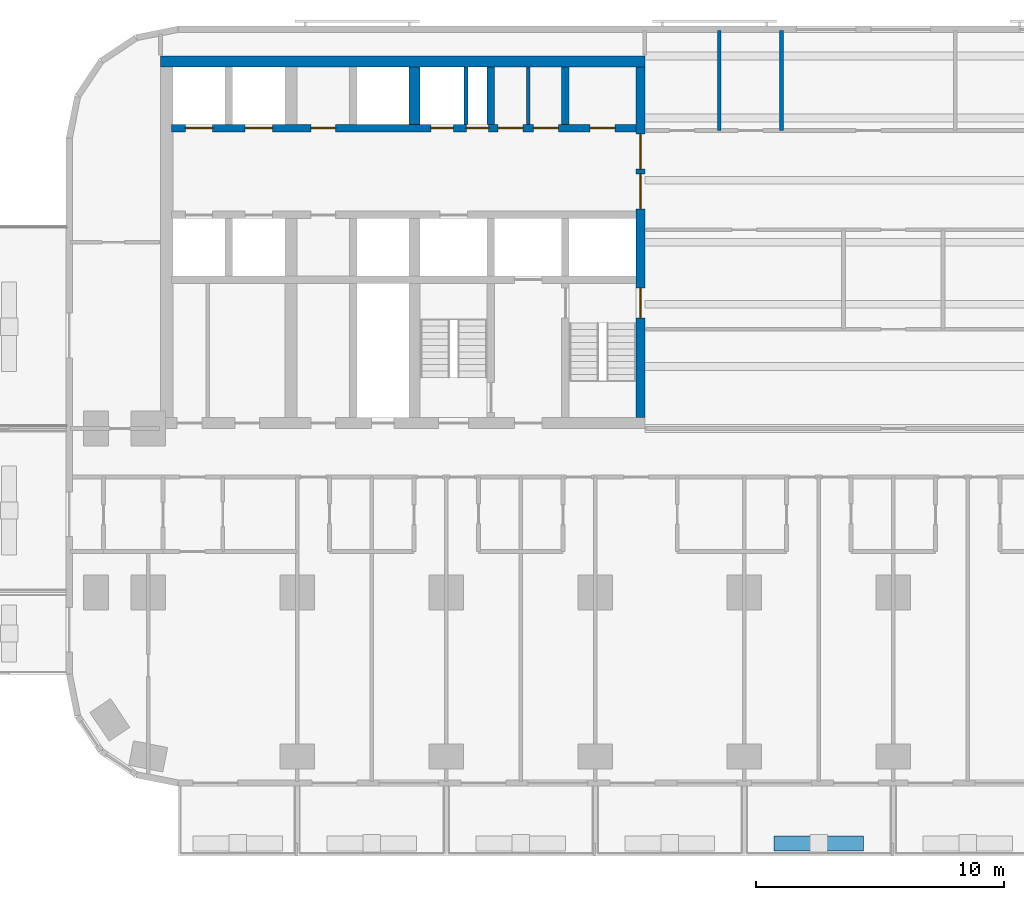
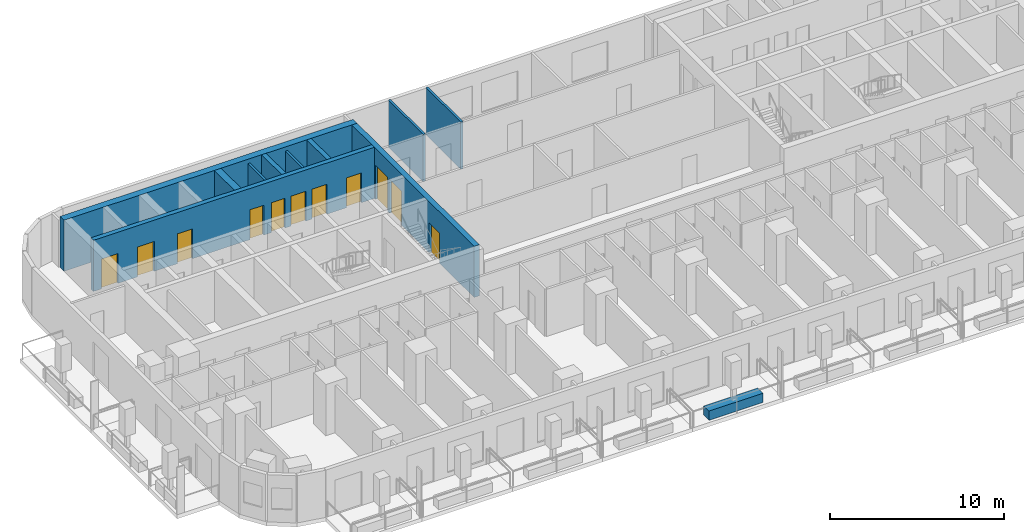
# One storey, part 4 of 15: 11 doors, 11 walls, 11 openings.
"""IFC4 building model written with IfcOpenShell, lengths in metres."""

from ifc_helpers import new_model, si_unit, direction, frame, frame_2d, origin, place, context, subcontext, project, spatial, rectangle, extrude, material, layer, layer_set, type_object, element, fill, save


model = new_model("IFC4")

# Units and contexts
model_context = context("Model", 3, precision=1e-05, world=origin(), true_north=direction((0.0, 1.0)))
body_context = subcontext(model_context, "Body", "Model", "MODEL_VIEW")
ifc_project = project(units=[si_unit("LENGTHUNIT", "METRE"), si_unit("AREAUNIT", "SQUARE_METRE"), si_unit("VOLUMEUNIT", "CUBIC_METRE"), si_unit("PLANEANGLEUNIT", "RADIAN"), si_unit("MASSUNIT", "GRAM", prefix="KILO")], contexts=[model_context])

# Site, building, storey
site_placement = place(None, origin())
site = spatial("IfcSite", under=ifc_project, at=site_placement, CompositionType="ELEMENT")
building_placement = place(site_placement, origin())
building = spatial("IfcBuilding", under=site, at=building_placement, Name="Torana Hotel and Residences", CompositionType="ELEMENT")
storey_placement = place(building_placement, frame((0.0, 0.0, 31.199951171875)))
storey = spatial("IfcBuildingStorey", under=building, at=storey_placement, Name="L06", CompositionType="ELEMENT", Elevation=31.199951171875)

# Wall, openings, doors
ifc_material_1 = material(Name="Concrete C80/95", Category="concrete")
ifc_layer_1 = layer(ifc_material_1, 0.300048828125)
ifc_layer_set_1 = layer_set([ifc_layer_1], Name="CORE WALL 300 C80/95")
wall_type_1 = type_object("IfcWallType", Name="CORE WALL 300 C80/95", PredefinedType="SHEAR", material=ifc_layer_set_1)
wall_1_placement = place(storey_placement, frame((-29.050048828125, -2.89990234375, 0.0), z_axis=(0.0, 0.0, 1.0), x_axis=(1.0, 0.0, 0.0)))
wall_1 = element("IfcWall", 1, at=wall_1_placement, inside=storey, type_object=wall_type_1, Name="Core wall W row-N", PredefinedType="SHEAR", context=body_context, shape_type="SweptSolid", body=[
    extrude(rectangle(XDim=18.699951171875, YDim=0.300048828125, at=frame_2d((9.35009765625, 0.0))), origin(), (0.0, 0.0, 1.0), 3.60009765625),
])
opening_1_placement = place(wall_1_placement, frame((2.949951171875, 0.0, 0.0)))
opening_1 = element("IfcOpeningElement", 2, at=opening_1_placement, cuts=wall_1, Name="Opening LD", PredefinedType="OPENING", context=body_context, shape_type="SweptSolid", body=[
    extrude(rectangle(XDim=1.10009765625, YDim=2.10009765625, at=frame_2d((0.550048828125, 1.050048828125))), frame((0.0, 0.159912109375, 0.0), z_axis=(0.0, -1.0, 0.0), x_axis=(1.0, 0.0, 0.0)), (0.0, 0.0, 1.0), 0.320068359375),
])
opening_2_placement = place(wall_1_placement, frame((0.550048828125, 0.0, 0.0)))
opening_2 = element("IfcOpeningElement", 3, at=opening_2_placement, cuts=wall_1, Name="Opening LD", PredefinedType="OPENING", context=body_context, shape_type="SweptSolid", body=[
    extrude(rectangle(XDim=1.10009765625, YDim=2.10009765625, at=frame_2d((0.550048828125, 1.050048828125))), frame((0.0, 0.159912109375, 0.0), z_axis=(0.0, -1.0, 0.0), x_axis=(1.0, 0.0, 0.0)), (0.0, 0.0, 1.0), 0.320068359375),
])
opening_3_placement = place(wall_1_placement, frame((11.862548828125, 0.0, 0.0)))
opening_3 = element("IfcOpeningElement", 4, at=opening_3_placement, cuts=wall_1, Name="Opening L06-10", PredefinedType="OPENING", context=body_context, shape_type="SweptSolid", body=[
    extrude(rectangle(XDim=0.89990234375, YDim=2.10009765625, at=frame_2d((0.449951171875, 1.050048828125))), frame((0.0, 0.159912109375, 0.0), z_axis=(0.0, -1.0, 0.0), x_axis=(1.0, 0.0, 0.0)), (0.0, 0.0, 1.0), 0.320068359375),
])
opening_4_placement = place(wall_1_placement, frame((10.4375, 0.0, 0.0)))
opening_4 = element("IfcOpeningElement", 5, at=opening_4_placement, cuts=wall_1, Name="Opening L06-11", PredefinedType="OPENING", context=body_context, shape_type="SweptSolid", body=[
    extrude(rectangle(XDim=0.89990234375, YDim=2.10009765625, at=frame_2d((0.449951171875, 1.050048828125))), frame((0.0, 0.159912109375, 0.0), z_axis=(0.0, -1.0, 0.0), x_axis=(1.0, 0.0, 0.0)), (0.0, 0.0, 1.0), 0.320068359375),
])
opening_5_placement = place(wall_1_placement, frame((16.85009765625, 0.0, 0.0)))
opening_5 = element("IfcOpeningElement", 6, at=opening_5_placement, cuts=wall_1, Name="Opening L06-12", PredefinedType="OPENING", context=body_context, shape_type="SweptSolid", body=[
    extrude(rectangle(XDim=1.0, YDim=2.10009765625, at=frame_2d((0.5, 1.050048828125))), frame((0.0, 0.159912109375, 0.0), z_axis=(0.0, -1.0, 0.0), x_axis=(1.0, 0.0, 0.0)), (0.0, 0.0, 1.0), 0.320068359375),
])
opening_6_placement = place(wall_1_placement, frame((14.5625, 0.0, 0.0)))
opening_6 = element("IfcOpeningElement", 7, at=opening_6_placement, cuts=wall_1, Name="Opening L06-13", PredefinedType="OPENING", context=body_context, shape_type="SweptSolid", body=[
    extrude(rectangle(XDim=1.0, YDim=2.10009765625, at=frame_2d((0.5, 1.050048828125))), frame((0.0, 0.159912109375, 0.0), z_axis=(0.0, -1.0, 0.0), x_axis=(1.0, 0.0, 0.0)), (0.0, 0.0, 1.0), 0.320068359375),
])
opening_7_placement = place(wall_1_placement, frame((13.137451171875, 0.0, 0.0)))
opening_7 = element("IfcOpeningElement", 8, at=opening_7_placement, cuts=wall_1, Name="Opening L06-14", PredefinedType="OPENING", context=body_context, shape_type="SweptSolid", body=[
    extrude(rectangle(XDim=1.0, YDim=2.10009765625, at=frame_2d((0.5, 1.050048828125))), frame((0.0, 0.159912109375, 0.0), z_axis=(0.0, -1.0, 0.0), x_axis=(1.0, 0.0, 0.0)), (0.0, 0.0, 1.0), 0.320068359375),
])
opening_8_placement = place(wall_1_placement, frame((5.60009765625, 0.0, 0.0)))
opening_8 = element("IfcOpeningElement", 9, at=opening_8_placement, cuts=wall_1, Name="Opening L06-15", PredefinedType="OPENING", context=body_context, shape_type="SweptSolid", body=[
    extrude(rectangle(XDim=1.0, YDim=2.10009765625, at=frame_2d((0.5, 1.050048828125))), frame((0.0, 0.159912109375, 0.0), z_axis=(0.0, -1.0, 0.0), x_axis=(1.0, 0.0, 0.0)), (0.0, 0.0, 1.0), 0.320068359375),
])
ifc_material_2 = material(Name="Steel S235", Category="steel")
door_type_1 = type_object("IfcDoorType", Name="CORE ROOM FIRE DOOR D14 1000x2100", OperationType="SINGLE_SWING_LEFT", PredefinedType="DOOR", material=ifc_material_2)
door_1_placement = place(opening_5_placement, origin())
door_1 = element("IfcDoor", 10, at=door_1_placement, inside=storey, type_object=door_type_1, Name="N0 door L06", OperationType="SINGLE_SWING_RIGHT", OverallHeight=2.10009765625, OverallWidth=1.0, PredefinedType="DOOR", context=body_context, shape_type="SweptSolid", body=[
    extrude(rectangle(XDim=1.0, YDim=2.10009765625, at=frame_2d((0.5, 1.050048828125))), frame((0.0, 0.02490234375, 0.0), z_axis=(0.0, -1.0, 0.0), x_axis=(1.0, 0.0, 0.0)), (0.0, 0.0, 1.0), 0.050048828125),
])
fill(opening_5, door_1)
door_2_placement = place(opening_6_placement, origin())
door_2 = element("IfcDoor", 11, at=door_2_placement, inside=storey, type_object=door_type_1, Name="N1A door L06", OperationType="SINGLE_SWING_RIGHT", OverallHeight=2.10009765625, OverallWidth=1.0, PredefinedType="DOOR", context=body_context, shape_type="SweptSolid", body=[
    extrude(rectangle(XDim=1.0, YDim=2.10009765625, at=frame_2d((0.5, 1.050048828125))), frame((0.0, 0.02490234375, 0.0), z_axis=(0.0, -1.0, 0.0), x_axis=(1.0, 0.0, 0.0)), (0.0, 0.0, 1.0), 0.050048828125),
])
fill(opening_6, door_2)
door_3_placement = place(opening_7_placement, origin())
door_3 = element("IfcDoor", 12, at=door_3_placement, inside=storey, type_object=door_type_1, Name="N1B door L06", OperationType="SINGLE_SWING_RIGHT", OverallHeight=2.10009765625, OverallWidth=1.0, PredefinedType="DOOR", context=body_context, shape_type="SweptSolid", body=[
    extrude(rectangle(XDim=1.0, YDim=2.10009765625, at=frame_2d((0.5, 1.050048828125))), frame((0.0, 0.02490234375, 0.0), z_axis=(0.0, -1.0, 0.0), x_axis=(1.0, 0.0, 0.0)), (0.0, 0.0, 1.0), 0.050048828125),
])
fill(opening_7, door_3)
door_4_placement = place(opening_8_placement, origin())
door_4 = element("IfcDoor", 13, at=door_4_placement, inside=storey, type_object=door_type_1, Name="Free-M1 door L06", OperationType="SINGLE_SWING_RIGHT", OverallHeight=2.10009765625, OverallWidth=1.0, PredefinedType="DOOR", context=body_context, shape_type="SweptSolid", body=[
    extrude(rectangle(XDim=1.0, YDim=2.10009765625, at=frame_2d((0.5, 1.050048828125))), frame((0.0, 0.02490234375, 0.0), z_axis=(0.0, -1.0, 0.0), x_axis=(1.0, 0.0, 0.0)), (0.0, 0.0, 1.0), 0.050048828125),
])
fill(opening_8, door_4)
ifc_material_3 = material(Name="Stainless steel 316", Category="steel")
door_type_2 = type_object("IfcDoorType", Name="LIFT LANDING DOOR LD 1100x2100", OperationType="DOUBLE_DOOR_SLIDING", PredefinedType="USERDEFINED", material=ifc_material_3)
door_5_placement = place(opening_1_placement, origin())
door_5 = element("IfcDoor", 14, at=door_5_placement, inside=storey, type_object=door_type_2, Name="Lift landing door L1 L06", ObjectType="LIFT LANDING DOOR", OperationType="DOUBLE_DOOR_SLIDING", OverallHeight=2.10009765625, OverallWidth=1.10009765625, PredefinedType="USERDEFINED", context=body_context, shape_type="SweptSolid", body=[
    extrude(rectangle(XDim=1.10009765625, YDim=2.10009765625, at=frame_2d((0.550048828125, 1.050048828125))), frame((0.0, 0.02490234375, 0.0), z_axis=(0.0, -1.0, 0.0), x_axis=(1.0, 0.0, 0.0)), (0.0, 0.0, 1.0), 0.050048828125),
])
fill(opening_1, door_5)
door_6_placement = place(opening_2_placement, origin())
door_6 = element("IfcDoor", 15, at=door_6_placement, inside=storey, type_object=door_type_2, Name="Lift landing door L2 L06", ObjectType="LIFT LANDING DOOR", OperationType="DOUBLE_DOOR_SLIDING", OverallHeight=2.10009765625, OverallWidth=1.10009765625, PredefinedType="USERDEFINED", context=body_context, shape_type="SweptSolid", body=[
    extrude(rectangle(XDim=1.10009765625, YDim=2.10009765625, at=frame_2d((0.550048828125, 1.050048828125))), frame((0.0, 0.02490234375, 0.0), z_axis=(0.0, -1.0, 0.0), x_axis=(1.0, 0.0, 0.0)), (0.0, 0.0, 1.0), 0.050048828125),
])
fill(opening_2, door_6)
ifc_material_4 = material(Name="Steel S235", Category="steel")
door_type_3 = type_object("IfcDoorType", Name="RISER ACCESS DOOR D5 900x2100", OperationType="SINGLE_SWING_LEFT", PredefinedType="DOOR", material=ifc_material_4)
door_7_placement = place(opening_3_placement, origin())
door_7 = element("IfcDoor", 16, at=door_7_placement, inside=storey, type_object=door_type_3, Name="N2A door L06", OperationType="SINGLE_SWING_LEFT", OverallHeight=2.10009765625, OverallWidth=0.89990234375, PredefinedType="DOOR", context=body_context, shape_type="SweptSolid", body=[
    extrude(rectangle(XDim=0.89990234375, YDim=2.10009765625, at=frame_2d((0.449951171875, 1.050048828125))), frame((0.0, 0.02490234375, 0.0), z_axis=(0.0, -1.0, 0.0), x_axis=(1.0, 0.0, 0.0)), (0.0, 0.0, 1.0), 0.050048828125),
])
fill(opening_3, door_7)
door_8_placement = place(opening_4_placement, origin())
door_8 = element("IfcDoor", 17, at=door_8_placement, inside=storey, type_object=door_type_3, Name="N2B door L06", OperationType="SINGLE_SWING_RIGHT", OverallHeight=2.10009765625, OverallWidth=0.89990234375, PredefinedType="DOOR", context=body_context, shape_type="SweptSolid", body=[
    extrude(rectangle(XDim=0.89990234375, YDim=2.10009765625, at=frame_2d((0.449951171875, 1.050048828125))), frame((0.0, 0.02490234375, 0.0), z_axis=(0.0, -1.0, 0.0), x_axis=(1.0, 0.0, 0.0)), (0.0, 0.0, 1.0), 0.050048828125),
])
fill(opening_4, door_8)

# Walls
for number, where, z_axis, x_axis, name in (
    (18, (-13.199951171875, -2.75, 0.0), (0.0, 0.0, 1.0), (0.0, 1.0, 0.0), "Core wall W x3.05-N"),
    (19, (-16.199951171875, -2.75, 0.0), (0.0, 0.0, 1.0), (0.0, 1.0, 0.0), "Core wall W x6.05-N"),
):
    element("IfcWall", number, at=place(storey_placement, frame(where, z_axis=z_axis, x_axis=x_axis)), inside=storey, type_object=wall_type_1, Name=name, PredefinedType="SHEAR", context=body_context, shape_type="SweptSolid", body=[
        extrude(rectangle(XDim=2.300048828125, YDim=0.300048828125, at=frame_2d((1.14990234375, 0.0))), origin(), (0.0, 0.0, 1.0), 3.60009765625),
    ])

# Wall, openings, doors
ifc_material_5 = material(Name="Concrete C80/95", Category="concrete")
ifc_layer_2 = layer(ifc_material_5, 0.35009765625)
ifc_layer_set_2 = layer_set([ifc_layer_2], Name="CORE WALL 350 C80/95")
wall_type_2 = type_object("IfcWallType", Name="CORE WALL 350 C80/95", PredefinedType="SHEAR", material=ifc_layer_set_2)
wall_2_placement = place(storey_placement, frame((-10.175048828125, -14.550048828125, 0.0), z_axis=(0.0, 0.0, 1.0), x_axis=(0.0, 1.0, 0.0)))
wall_2 = element("IfcWall", 20, at=wall_2_placement, inside=storey, type_object=wall_type_2, Name="Core wall W arch", PredefinedType="SHEAR", context=body_context, shape_type="SweptSolid", body=[
    extrude(rectangle(XDim=14.10009765625, YDim=0.35009765625, at=frame_2d((7.050048828125, 0.0))), origin(), (0.0, 0.0, 1.0), 3.60009765625),
])
opening_9_placement = place(wall_2_placement, frame((8.39990234375, 0.0, 0.0)))
opening_9 = element("IfcOpeningElement", 21, at=opening_9_placement, cuts=wall_2, Name="Opening L06-01", PredefinedType="OPENING", context=body_context, shape_type="SweptSolid", body=[
    extrude(rectangle(XDim=1.39990234375, YDim=2.39990234375, at=frame_2d((0.699951171875, 1.199951171875))), frame((0.0, 0.18505859375, 0.0), z_axis=(0.0, -1.0, 0.0), x_axis=(1.0, 0.0, 0.0)), (0.0, 0.0, 1.0), 0.3701171875),
])
opening_10_placement = place(wall_2_placement, frame((10.0, 0.0, 0.0)))
opening_10 = element("IfcOpeningElement", 22, at=opening_10_placement, cuts=wall_2, Name="Opening L06-02", PredefinedType="OPENING", context=body_context, shape_type="SweptSolid", body=[
    extrude(rectangle(XDim=1.39990234375, YDim=2.39990234375, at=frame_2d((0.699951171875, 1.199951171875))), frame((0.0, 0.18505859375, 0.0), z_axis=(0.0, -1.0, 0.0), x_axis=(1.0, 0.0, 0.0)), (0.0, 0.0, 1.0), 0.3701171875),
])
opening_11_placement = place(wall_2_placement, frame((4.0, 0.0, 0.0)))
opening_11 = element("IfcOpeningElement", 23, at=opening_11_placement, cuts=wall_2, Name="Opening L06-03", PredefinedType="OPENING", context=body_context, shape_type="SweptSolid", body=[
    extrude(rectangle(XDim=1.199951171875, YDim=2.10009765625, at=frame_2d((0.60009765625, 1.050048828125))), frame((0.0, 0.18505859375, 0.0), z_axis=(0.0, -1.0, 0.0), x_axis=(1.0, 0.0, 0.0)), (0.0, 0.0, 1.0), 0.3701171875),
])
ifc_material_6 = material(Name="Steel S235", Category="steel")
door_type_4 = type_object("IfcDoorType", Name="LOBBY FIRE DOOR D4 1400x2400", OperationType="DOUBLE_DOOR_SINGLE_SWING", PredefinedType="DOOR", material=ifc_material_6)
door_9_placement = place(opening_9_placement, origin())
door_9 = element("IfcDoor", 24, at=door_9_placement, inside=storey, type_object=door_type_4, Name="Lobby-1 door L06", OperationType="DOUBLE_DOOR_SINGLE_SWING", OverallHeight=2.39990234375, OverallWidth=1.39990234375, PredefinedType="DOOR", context=body_context, shape_type="SweptSolid", body=[
    extrude(rectangle(XDim=1.39990234375, YDim=2.39990234375, at=frame_2d((0.699951171875, 1.199951171875))), frame((0.0, 0.02490234375, 0.0), z_axis=(0.0, -1.0, 0.0), x_axis=(1.0, 0.0, 0.0)), (0.0, 0.0, 1.0), 0.050048828125),
])
fill(opening_9, door_9)
door_10_placement = place(opening_10_placement, origin())
door_10 = element("IfcDoor", 25, at=door_10_placement, inside=storey, type_object=door_type_4, Name="Lobby-2 door L06", OperationType="DOUBLE_DOOR_SINGLE_SWING", OverallHeight=2.39990234375, OverallWidth=1.39990234375, PredefinedType="DOOR", context=body_context, shape_type="SweptSolid", body=[
    extrude(rectangle(XDim=1.39990234375, YDim=2.39990234375, at=frame_2d((0.699951171875, 1.199951171875))), frame((0.0, 0.02490234375, 0.0), z_axis=(0.0, -1.0, 0.0), x_axis=(1.0, 0.0, 0.0)), (0.0, 0.0, 1.0), 0.050048828125),
])
fill(opening_10, door_10)
ifc_material_7 = material(Name="Steel S235", Category="steel")
door_type_5 = type_object("IfcDoorType", Name="STAIR FIRE DOOR D3 1200x2100", OperationType="SINGLE_SWING_LEFT", PredefinedType="DOOR", material=ifc_material_7)
door_11_placement = place(opening_11_placement, origin())
door_11 = element("IfcDoor", 26, at=door_11_placement, inside=storey, type_object=door_type_5, Name="Stair-A door L06", OperationType="SINGLE_SWING_LEFT", OverallHeight=2.10009765625, OverallWidth=1.199951171875, PredefinedType="DOOR", context=body_context, shape_type="SweptSolid", body=[
    extrude(rectangle(XDim=1.199951171875, YDim=2.10009765625, at=frame_2d((0.60009765625, 1.050048828125))), frame((0.0, 0.02490234375, 0.0), z_axis=(0.0, -1.0, 0.0), x_axis=(1.0, 0.0, 0.0)), (0.0, 0.0, 1.0), 0.050048828125),
])
fill(opening_11, door_11)

# Walls
ifc_material_8 = material(Name="Concrete C80/95", Category="concrete")
ifc_layer_3 = layer(ifc_material_8, 0.449951171875)
ifc_layer_set_3 = layer_set([ifc_layer_3], Name="CORE WALL 450 C80/95")
wall_type_3 = type_object("IfcWallType", Name="CORE WALL 450 C80/95", PredefinedType="SHEAR", material=ifc_layer_set_3)
wall_3_placement = place(storey_placement, frame((-29.5, -0.22509765625, 0.0), z_axis=(0.0, 0.0, 1.0), x_axis=(1.0, 0.0, 0.0)))
element("IfcWall", 27, at=wall_3_placement, inside=storey, type_object=wall_type_3, Name="Core wall W rear", PredefinedType="SHEAR", context=body_context, shape_type="SweptSolid", body=[
    extrude(rectangle(XDim=19.5, YDim=0.449951171875, at=frame_2d((9.75, 0.0))), origin(), (0.0, 0.0, 1.0), 3.60009765625),
])
wall_4_placement = place(storey_placement, frame((-19.27490234375, -2.75, 0.0), z_axis=(0.0, 0.0, 1.0), x_axis=(0.0, 1.0, 0.0)))
element("IfcWall", 28, at=wall_4_placement, inside=storey, type_object=wall_type_3, Name="Core wall W hm-N", PredefinedType="SHEAR", context=body_context, shape_type="SweptSolid", body=[
    extrude(rectangle(XDim=2.300048828125, YDim=0.449951171875, at=frame_2d((1.14990234375, 0.0))), origin(), (0.0, 0.0, 1.0), 3.60009765625),
])
ifc_material_9 = material(Name="Gypsum plaster")
ifc_layer_4 = layer(ifc_material_9, 0.014892578125, Name="Plaster", Category="finish")
ifc_material_10 = material(Name="Concrete blockwork", Category="masonry")
ifc_layer_5 = layer(ifc_material_10, 0.1201171875, Name="Blockwork", Category="structure")
ifc_layer_6 = layer(ifc_material_9, 0.014892578125, Name="Plaster", Category="finish")
ifc_layer_set_4 = layer_set([ifc_layer_4, ifc_layer_5, ifc_layer_6], Name="FIRE PARTITION 150 BLOCKWORK")
wall_type_4 = type_object("IfcWallType", Name="FIRE PARTITION 150 BLOCKWORK", PredefinedType="PARTITIONING", material=ifc_layer_set_4)
for number, where, z_axis, x_axis, name in (
    (29, (-17.199951171875, -2.75, 0.0), (0.0, 0.0, 1.0), (0.0, 1.0, 0.0), "Core partition L06"),
    (30, (-14.699951171875, -2.75, 0.0), (0.0, 0.0, 1.0), (0.0, 1.0, 0.0), "Core partition L06"),
):
    element("IfcWall", number, at=place(storey_placement, frame(where, z_axis=z_axis, x_axis=x_axis)), inside=storey, type_object=wall_type_4, Name=name, PredefinedType="PARTITIONING", context=body_context, shape_type="SweptSolid", body=[
        extrude(rectangle(XDim=2.300048828125, YDim=0.14990234375, at=frame_2d((1.14990234375, 0.0))), origin(), (0.0, 0.0, 1.0), 3.300048828125),
    ])
ifc_material_11 = material(Name="Concrete C40/50 precast", Category="concrete")
ifc_layer_7 = layer(ifc_material_11, 0.10009765625, Name="Planter shell", Category="structure")
ifc_material_12 = material(Name="Root resistant membrane")
ifc_layer_8 = layer(ifc_material_12, 0.00390625, Name="Waterproofing membrane", Category="membrane")
ifc_material_13 = material(Name="Drainage board with filter fleece")
ifc_layer_9 = layer(ifc_material_13, 0.02001953125, Name="Drainage board", Category="drainage")
ifc_material_14 = material(Name="Growing medium")
ifc_layer_10 = layer(ifc_material_14, 0.47607421875, Name="Planting substrate", Category="soil")
ifc_layer_set_5 = layer_set([ifc_layer_7, ifc_layer_8, ifc_layer_9, ifc_layer_10], Name="PL1 BALCONY PLANTER 600")
wall_type_5 = type_object("IfcWallType", Name="PL1 BALCONY PLANTER 600", PredefinedType="USERDEFINED", material=ifc_layer_set_5)
wall_5_placement = place(storey_placement, frame((-1.199951171875, -31.699951171875, 0.0), z_axis=(0.0, 0.0, 1.0), x_axis=(-1.0, 0.0, 0.0)))
element("IfcWall", 31, at=wall_5_placement, inside=storey, type_object=wall_type_5, Name="Planter 05", ObjectType="PLANTER", PredefinedType="USERDEFINED", context=body_context, shape_type="SweptSolid", body=[
    extrude(rectangle(XDim=3.60009765625, YDim=0.60009765625, at=frame_2d((1.800048828125, 0.0))), origin(), (0.0, 0.0, 1.0), 0.650146484375),
])
ifc_material_15 = material(Name="Ceramic tile on adhesive")
ifc_layer_11 = layer(ifc_material_15, 0.010009765625, Name="Wall tile", Category="finish")
ifc_material_16 = material(Name="Cement render")
ifc_layer_12 = layer(ifc_material_16, 0.010009765625, Name="Render", Category="finish")
ifc_layer_13 = layer(ifc_material_10, 0.110107421875, Name="Blockwork", Category="structure")
ifc_layer_14 = layer(ifc_material_16, 0.010009765625, Name="Render", Category="finish")
ifc_layer_15 = layer(ifc_material_15, 0.010009765625, Name="Wall tile", Category="finish")
ifc_layer_set_6 = layer_set([ifc_layer_11, ifc_layer_12, ifc_layer_13, ifc_layer_14, ifc_layer_15], Name="WC PARTITION 150")
wall_type_6 = type_object("IfcWallType", Name="WC PARTITION 150", PredefinedType="PLUMBINGWALL", material=ifc_layer_set_6)
for number, where, z_axis, x_axis, name in (
    (32, (-4.5, -3.0, 0.0), (0.0, 0.0, 1.0), (0.0, 1.0, 0.0), "Partition L06"),
    (33, (-7.0, -3.0, 0.0), (0.0, 0.0, 1.0), (0.0, 1.0, 0.0), "Partition L06"),
):
    element("IfcWall", number, at=place(storey_placement, frame(where, z_axis=z_axis, x_axis=x_axis)), inside=storey, type_object=wall_type_6, Name=name, PredefinedType="PLUMBINGWALL", context=body_context, shape_type="SweptSolid", body=[
        extrude(rectangle(XDim=4.02001953125, YDim=0.14990234375, at=frame_2d((2.010009765625, 0.0))), origin(), (0.0, 0.0, 1.0), 3.320068359375),
    ])

save(model, "model.ifc")
